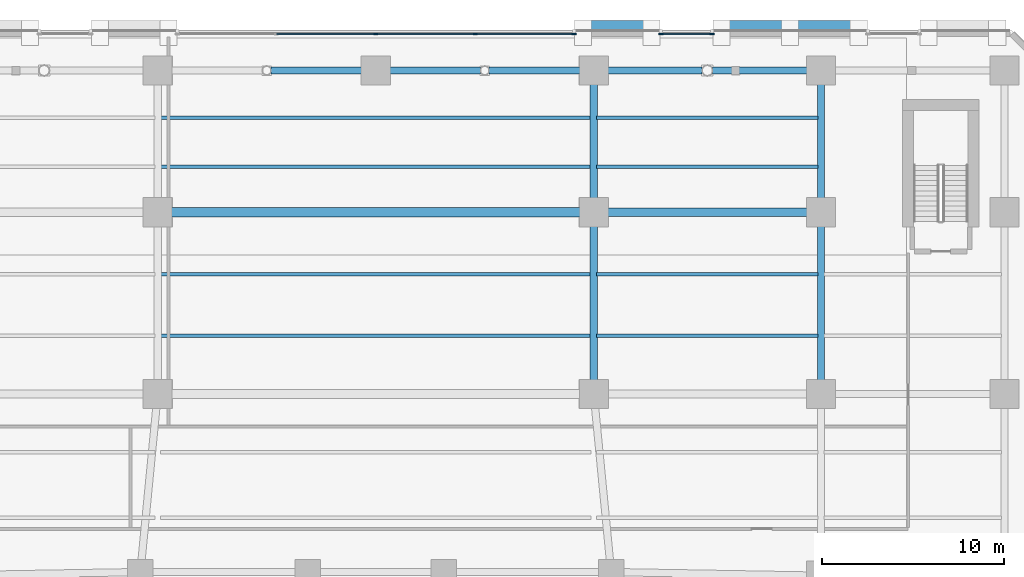
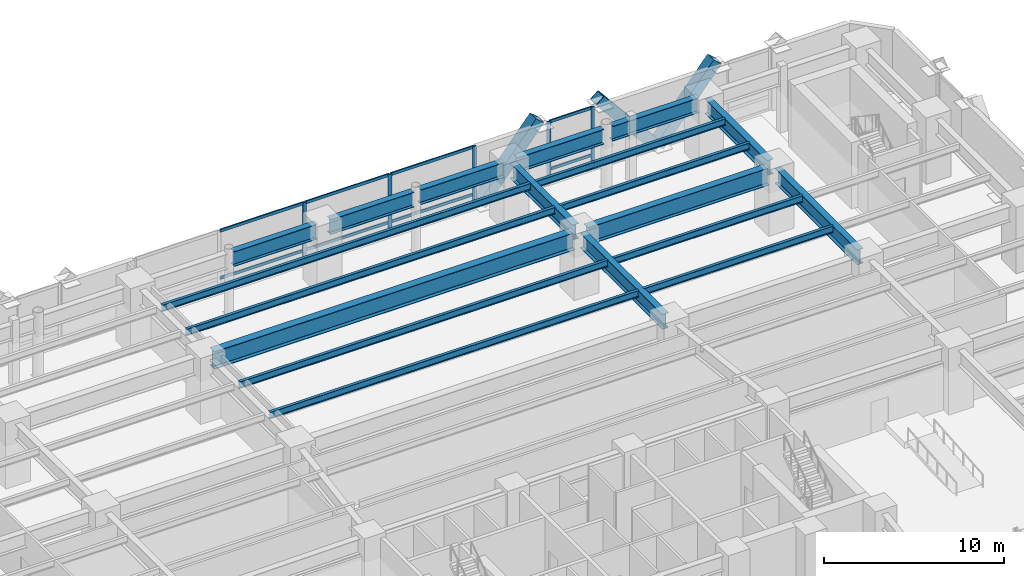
# One storey, part 9 of 26: 20 members, 19 beams, 2 elements without a shape of their own.
"""IFC4 building model written with IfcOpenShell, lengths in metres."""

from ifc_helpers import new_model, si_unit, direction, frame, origin, origin_2d, place, context, subcontext, project, spatial, rectangle, hollow_rectangle, i_section, extrude, material, material_profile, profile_set, type_object, element, aggregate, save


model = new_model("IFC4")

# Units and contexts
model_context = context("Model", 3, precision=1e-05, world=origin(), true_north=direction((0.0, 1.0)))
body_context = subcontext(model_context, "Body", "Model", "MODEL_VIEW")
ifc_project = project(units=[si_unit("LENGTHUNIT", "METRE"), si_unit("AREAUNIT", "SQUARE_METRE"), si_unit("VOLUMEUNIT", "CUBIC_METRE"), si_unit("PLANEANGLEUNIT", "RADIAN"), si_unit("MASSUNIT", "GRAM", prefix="KILO")], contexts=[model_context])

# Site, building, storey
site_placement = place(None, origin())
site = spatial("IfcSite", under=ifc_project, at=site_placement, CompositionType="ELEMENT")
building_placement = place(site_placement, origin())
building = spatial("IfcBuilding", under=site, at=building_placement, Name="Quenlor Broadcast Tower", CompositionType="ELEMENT")
storey_placement = place(building_placement, frame((0.0, 0.0, 5.0)))
storey = spatial("IfcBuildingStorey", under=building, at=storey_placement, Name="L01", CompositionType="ELEMENT", Elevation=5.0)

# Curtain wall, members
ifc_material_1 = material(Name="Architectural Terracotta and Low-E Glazing", Category="masonry")
curtain_wall_type = type_object("IfcCurtainWallType", Name="Station Concourse and Crown Terracotta Curtain Wall", PredefinedType="NOTDEFINED", material=ifc_material_1)
curtain_wall_1_placement = place(storey_placement, origin())
curtain_wall_1 = element("IfcCurtainWall", 1, at=curtain_wall_1_placement, inside=storey, type_object=curtain_wall_type, Name="L01 Curtain Wall CW6 (L01-N-FULL-G3)", PredefinedType="NOTDEFINED")
ifc_material_2 = material(Name="Aluminium 6063-T6", Category="aluminium")
ifc_material_profile_1 = material_profile(ifc_material_2, rectangle(XDim=0.08203125, YDim=0.239990234375, at=origin_2d()))
ifc_profile_set_1 = profile_set([ifc_material_profile_1], Name="Aluminium 6063-T6 MULL82x240")
member_type_1 = type_object("IfcMemberType", Name="CW6 Aluminium Mullion MULL_CW6", PredefinedType="MULLION", material=ifc_profile_set_1)
member_1_placement = place(storey_placement, frame((0.0, 24.820068359375, 0.0), z_axis=(0.0, 0.0, 1.0), x_axis=(0.0, 1.0, 0.0)))
member_1 = element("IfcMember", 2, at=member_1_placement, type_object=member_type_1, Name="CW6 mullion 3", PredefinedType="MULLION", context=body_context, shape_type="SweptSolid", body=[
    extrude(rectangle(XDim=0.08203125, YDim=0.239990234375, at=origin_2d()), origin(), (0.0, 0.0, 1.0), 4.199951171875),
])
member_2_placement = place(storey_placement, frame((5.475341796875, 24.820068359375, 0.0), z_axis=(0.0, 0.0, 1.0), x_axis=(0.0, 1.0, 0.0)))
member_2 = element("IfcMember", 3, at=member_2_placement, type_object=member_type_1, Name="CW6 mullion 4", PredefinedType="MULLION", context=body_context, shape_type="SweptSolid", body=[
    extrude(rectangle(XDim=0.08203125, YDim=0.239990234375, at=origin_2d()), origin(), (0.0, 0.0, 1.0), 4.199951171875),
])
member_3_placement = place(storey_placement, frame((10.909423828125, 24.820068359375, 0.0), z_axis=(0.0, 0.0, 1.0), x_axis=(0.0, 1.0, 0.0)))
member_3 = element("IfcMember", 4, at=member_3_placement, type_object=member_type_1, Name="CW6 mullion 5", PredefinedType="MULLION", context=body_context, shape_type="SweptSolid", body=[
    extrude(rectangle(XDim=0.08203125, YDim=0.239990234375, at=origin_2d()), origin(), (0.0, 0.0, 1.0), 4.199951171875),
])

curtain_wall_2_placement = place(storey_placement, origin())
curtain_wall_2 = element("IfcCurtainWall", 5, at=curtain_wall_2_placement, inside=storey, type_object=curtain_wall_type, Name="L01 Curtain Wall CW6 (L01-N-FULL-G4)", PredefinedType="NOTDEFINED")
member_4_placement = place(storey_placement, frame((15.6904296875, 24.820068359375, 0.0), z_axis=(0.0, 0.0, 1.0), x_axis=(0.0, 1.0, 0.0)))
member_4 = element("IfcMember", 6, at=member_4_placement, type_object=member_type_1, Name="CW6 mullion 1", PredefinedType="MULLION", context=body_context, shape_type="SweptSolid", body=[
    extrude(rectangle(XDim=0.08203125, YDim=0.239990234375, at=origin_2d()), origin(), (0.0, 0.0, 1.0), 4.199951171875),
])
member_5_placement = place(storey_placement, frame((18.509521484375, 24.820068359375, 0.0), z_axis=(0.0, 0.0, 1.0), x_axis=(0.0, 1.0, 0.0)))
member_5 = element("IfcMember", 7, at=member_5_placement, type_object=member_type_1, Name="CW6 mullion 2", PredefinedType="MULLION", context=body_context, shape_type="SweptSolid", body=[
    extrude(rectangle(XDim=0.08203125, YDim=0.239990234375, at=origin_2d()), origin(), (0.0, 0.0, 1.0), 4.199951171875),
])

# Member
ifc_material_3 = material(Name="Aluminium 6063-T6", Category="aluminium")
ifc_material_profile_2 = material_profile(ifc_material_3, rectangle(XDim=0.08203125, YDim=0.195068359375, at=origin_2d()))
ifc_profile_set_2 = profile_set([ifc_material_profile_2], Name="Aluminium 6063-T6 TRAN82x195")
member_type_2 = type_object("IfcMemberType", Name="CW6 Aluminium Transom TRAN_CW6", PredefinedType="USERDEFINED", material=ifc_profile_set_2)
member_6_placement = place(storey_placement, frame((-5.434326171875, 24.820068359375, 0.041015625), z_axis=(1.0, 0.0, 0.0), x_axis=(0.0, 1.0, 0.0)))
member_6 = element("IfcMember", 8, at=member_6_placement, type_object=member_type_2, Name="CW6 transom 2.1", ObjectType="TRANSOM", PredefinedType="USERDEFINED", context=body_context, shape_type="SweptSolid", body=[
    extrude(rectangle(XDim=0.08203125, YDim=0.195068359375, at=origin_2d()), origin(), (0.0, 0.0, 1.0), 5.393310546875),
])

member_7_placement = place(storey_placement, frame((-5.434326171875, 24.820068359375, 0.949951171875), z_axis=(1.0, 0.0, 0.0), x_axis=(0.0, 1.0, 0.0)))
member_7 = element("IfcMember", 9, at=member_7_placement, type_object=member_type_2, Name="CW6 transom 2.2", ObjectType="TRANSOM", PredefinedType="USERDEFINED", context=body_context, shape_type="SweptSolid", body=[
    extrude(rectangle(XDim=0.08203125, YDim=0.195068359375, at=origin_2d()), origin(), (0.0, 0.0, 1.0), 5.393310546875),
])

member_8_placement = place(storey_placement, frame((-5.434326171875, 24.820068359375, 4.158935546875), z_axis=(1.0, 0.0, 0.0), x_axis=(0.0, 1.0, 0.0)))
member_8 = element("IfcMember", 10, at=member_8_placement, type_object=member_type_2, Name="CW6 transom 2.3", ObjectType="TRANSOM", PredefinedType="USERDEFINED", context=body_context, shape_type="SweptSolid", body=[
    extrude(rectangle(XDim=0.08203125, YDim=0.195068359375, at=origin_2d()), origin(), (0.0, 0.0, 1.0), 5.393310546875),
])

member_9_placement = place(storey_placement, frame((0.041015625, 24.820068359375, 0.041015625), z_axis=(1.0, 0.0, 0.0), x_axis=(0.0, 1.0, 0.0)))
member_9 = element("IfcMember", 11, at=member_9_placement, type_object=member_type_2, Name="CW6 transom 3.1", ObjectType="TRANSOM", PredefinedType="USERDEFINED", context=body_context, shape_type="SweptSolid", body=[
    extrude(rectangle(XDim=0.08203125, YDim=0.195068359375, at=origin_2d()), origin(), (0.0, 0.0, 1.0), 5.393310546875),
])

member_10_placement = place(storey_placement, frame((0.041015625, 24.820068359375, 0.949951171875), z_axis=(1.0, 0.0, 0.0), x_axis=(0.0, 1.0, 0.0)))
member_10 = element("IfcMember", 12, at=member_10_placement, type_object=member_type_2, Name="CW6 transom 3.2", ObjectType="TRANSOM", PredefinedType="USERDEFINED", context=body_context, shape_type="SweptSolid", body=[
    extrude(rectangle(XDim=0.08203125, YDim=0.195068359375, at=origin_2d()), origin(), (0.0, 0.0, 1.0), 5.393310546875),
])

member_11_placement = place(storey_placement, frame((0.041015625, 24.820068359375, 4.158935546875), z_axis=(1.0, 0.0, 0.0), x_axis=(0.0, 1.0, 0.0)))
member_11 = element("IfcMember", 13, at=member_11_placement, type_object=member_type_2, Name="CW6 transom 3.3", ObjectType="TRANSOM", PredefinedType="USERDEFINED", context=body_context, shape_type="SweptSolid", body=[
    extrude(rectangle(XDim=0.08203125, YDim=0.195068359375, at=origin_2d()), origin(), (0.0, 0.0, 1.0), 5.393310546875),
])

member_12_placement = place(storey_placement, frame((5.516357421875, 24.820068359375, 0.041015625), z_axis=(1.0, 0.0, 0.0), x_axis=(0.0, 1.0, 0.0)))
member_12 = element("IfcMember", 14, at=member_12_placement, type_object=member_type_2, Name="CW6 transom 4.1", ObjectType="TRANSOM", PredefinedType="USERDEFINED", context=body_context, shape_type="SweptSolid", body=[
    extrude(rectangle(XDim=0.08203125, YDim=0.195068359375, at=origin_2d()), origin(), (0.0, 0.0, 1.0), 5.35205078125),
])

member_13_placement = place(storey_placement, frame((5.516357421875, 24.820068359375, 0.949951171875), z_axis=(1.0, 0.0, 0.0), x_axis=(0.0, 1.0, 0.0)))
member_13 = element("IfcMember", 15, at=member_13_placement, type_object=member_type_2, Name="CW6 transom 4.2", ObjectType="TRANSOM", PredefinedType="USERDEFINED", context=body_context, shape_type="SweptSolid", body=[
    extrude(rectangle(XDim=0.08203125, YDim=0.195068359375, at=origin_2d()), origin(), (0.0, 0.0, 1.0), 5.35205078125),
])

member_14_placement = place(storey_placement, frame((5.516357421875, 24.820068359375, 4.158935546875), z_axis=(1.0, 0.0, 0.0), x_axis=(0.0, 1.0, 0.0)))
member_14 = element("IfcMember", 16, at=member_14_placement, type_object=member_type_2, Name="CW6 transom 4.3", ObjectType="TRANSOM", PredefinedType="USERDEFINED", context=body_context, shape_type="SweptSolid", body=[
    extrude(rectangle(XDim=0.08203125, YDim=0.195068359375, at=origin_2d()), origin(), (0.0, 0.0, 1.0), 5.35205078125),
])

aggregate(curtain_wall_1, [member_1, member_2, member_3, member_6, member_7, member_8, member_9, member_10, member_11, member_12, member_13, member_14])

member_15_placement = place(storey_placement, frame((15.7314453125, 24.820068359375, 0.041015625), z_axis=(1.0, 0.0, 0.0), x_axis=(0.0, 1.0, 0.0)))
member_15 = element("IfcMember", 17, at=member_15_placement, type_object=member_type_2, Name="CW6 transom 1.1", ObjectType="TRANSOM", PredefinedType="USERDEFINED", context=body_context, shape_type="SweptSolid", body=[
    extrude(rectangle(XDim=0.08203125, YDim=0.195068359375, at=origin_2d()), origin(), (0.0, 0.0, 1.0), 2.737060546875),
])

member_16_placement = place(storey_placement, frame((15.7314453125, 24.820068359375, 0.949951171875), z_axis=(1.0, 0.0, 0.0), x_axis=(0.0, 1.0, 0.0)))
member_16 = element("IfcMember", 18, at=member_16_placement, type_object=member_type_2, Name="CW6 transom 1.2", ObjectType="TRANSOM", PredefinedType="USERDEFINED", context=body_context, shape_type="SweptSolid", body=[
    extrude(rectangle(XDim=0.08203125, YDim=0.195068359375, at=origin_2d()), origin(), (0.0, 0.0, 1.0), 2.737060546875),
])

member_17_placement = place(storey_placement, frame((15.7314453125, 24.820068359375, 4.158935546875), z_axis=(1.0, 0.0, 0.0), x_axis=(0.0, 1.0, 0.0)))
member_17 = element("IfcMember", 19, at=member_17_placement, type_object=member_type_2, Name="CW6 transom 1.3", ObjectType="TRANSOM", PredefinedType="USERDEFINED", context=body_context, shape_type="SweptSolid", body=[
    extrude(rectangle(XDim=0.08203125, YDim=0.195068359375, at=origin_2d()), origin(), (0.0, 0.0, 1.0), 2.737060546875),
])

aggregate(curtain_wall_2, [member_4, member_5, member_15, member_16, member_17])

# Members
ifc_material_4 = material(Name="Steel S355", Category="steel")
ifc_material_profile_3 = material_profile(ifc_material_4, hollow_rectangle(XDim=0.679931640625, YDim=0.679931640625, WallThickness=0.034912109375, at=origin_2d()))
ifc_profile_set_3 = profile_set([ifc_material_profile_3], Name="Steel S355 RHS680x680x35")
member_type_3 = type_object("IfcMemberType", Name="Perimeter Diagonal Lattice Brace Z1 Steel S355 RHS680x35", PredefinedType="BRACE", material=ifc_profile_set_3)
for number, where, z_axis, x_axis, name in (
    (20, (11.4228515625, 25.215087890625, -0.1201171875), (0.640626831312, 0.0, 0.767852370578), (0.0, 1.0, 0.0), "L01 Podium Diamond Lattice N-P5S"),
    (21, (22.777099609375, 25.215087890625, -0.1201171875), (-0.640626831312, 0.0, 0.767852370578), (0.0, -1.0, 0.0), "L01 Podium Diamond Lattice N-P5B"),
    (22, (22.82275390625, 25.215087890625, -0.1201171875), (0.640626831312, 0.0, 0.767852370578), (0.0, 1.0, 0.0), "L01 Podium Diamond Lattice N-P6S"),
):
    element("IfcMember", number, at=place(storey_placement, frame(where, z_axis=z_axis, x_axis=x_axis)), inside=storey, type_object=member_type_3, Name=name, PredefinedType="BRACE", context=body_context, shape_type="SweptSolid", body=[
        extrude(hollow_rectangle(XDim=0.679931640625, YDim=0.679931640625, WallThickness=0.034912109375, at=origin_2d()), origin(), (0.0, 0.0, 1.0), 5.860595703125),
    ])

# Beams
ifc_material_5 = material(Name="Steel S355", Category="steel")
ifc_material_profile_4 = material_profile(ifc_material_5, i_section(OverallWidth=0.39990234375, OverallDepth=1.02392578125, WebThickness=0.01611328125, FlangeThickness=0.031982421875, FilletRadius=0.01611328125, at=origin_2d()))
ifc_profile_set_4 = profile_set([ifc_material_profile_4], Name="Steel S355 1000WB322")
beam_type_1 = type_object("IfcBeamType", Name="Podium Concourse Girder Steel S355 1000WB322", PredefinedType="BEAM", material=ifc_profile_set_4)
for number, where, z_axis, x_axis, name in (
    (23, (-5.76611328125, 22.800048828125, 3.68798828125), (1.0, 0.0, 0.0), (0.0, 1.0, 0.0), "L01 Podium Girder 28"),
    (24, (0.419921875, 22.800048828125, 3.68798828125), (1.0, 0.0, 0.0), (0.0, 1.0, 0.0), "L01 Podium Girder 29"),
    (25, (6.23388671875, 22.800048828125, 3.68798828125), (1.0, 0.0, 0.0), (0.0, 1.0, 0.0), "L01 Podium Girder 30"),
):
    element("IfcBeam", number, at=place(storey_placement, frame(where, z_axis=z_axis, x_axis=x_axis)), inside=storey, type_object=beam_type_1, Name=name, PredefinedType="BEAM", context=body_context, shape_type="SweptSolid", body=[
        extrude(i_section(OverallWidth=0.39990234375, OverallDepth=1.02392578125, WebThickness=0.01611328125, FlangeThickness=0.031982421875, FilletRadius=0.01611328125, at=origin_2d()), origin(), (0.0, 0.0, 1.0), 5.34619140625),
    ])
for number, where, z_axis, x_axis, name in (
    (26, (12.419921875, 22.800048828125, 3.68798828125), (1.0, 0.0, 0.0), (0.0, 1.0, 0.0), "L01 Podium Girder 31"),
    (27, (18.534912109375, 22.800048828125, 3.68798828125), (1.0, 0.0, 0.0), (0.0, 1.0, 0.0), "L01 Podium Girder 32"),
):
    element("IfcBeam", number, at=place(storey_placement, frame(where, z_axis=z_axis, x_axis=x_axis)), inside=storey, type_object=beam_type_1, Name=name, PredefinedType="BEAM", context=body_context, shape_type="SweptSolid", body=[
        extrude(i_section(OverallWidth=0.39990234375, OverallDepth=1.02392578125, WebThickness=0.01611328125, FlangeThickness=0.031982421875, FilletRadius=0.01611328125, at=origin_2d()), origin(), (0.0, 0.0, 1.0), 5.545166015625),
    ])
beam_1_placement = place(storey_placement, frame((24.5, 5.419921875, 3.68798828125), z_axis=(0.0, 1.0, 0.0), x_axis=(-1.0, 0.0, 0.0)))
element("IfcBeam", 28, at=beam_1_placement, inside=storey, type_object=beam_type_1, Name="L01 Podium Girder 47", PredefinedType="BEAM", context=body_context, shape_type="SweptSolid", body=[
    extrude(i_section(OverallWidth=0.39990234375, OverallDepth=1.02392578125, WebThickness=0.01611328125, FlangeThickness=0.031982421875, FilletRadius=0.01611328125, at=origin_2d()), origin(), (0.0, 0.0, 1.0), 9.16015625),
])
beam_2_placement = place(storey_placement, frame((24.5, 15.419921875, 3.68798828125), z_axis=(0.0, 1.0, 0.0), x_axis=(-1.0, 0.0, 0.0)))
element("IfcBeam", 29, at=beam_2_placement, inside=storey, type_object=beam_type_1, Name="L01 Podium Girder 48", PredefinedType="BEAM", context=body_context, shape_type="SweptSolid", body=[
    extrude(i_section(OverallWidth=0.39990234375, OverallDepth=1.02392578125, WebThickness=0.01611328125, FlangeThickness=0.031982421875, FilletRadius=0.01611328125, at=origin_2d()), origin(), (0.0, 0.0, 1.0), 6.9599609375),
])
beam_3_placement = place(storey_placement, frame((12.0, 5.419921875, 3.68798828125), z_axis=(0.0, 1.0, 0.0), x_axis=(-1.0, 0.0, 0.0)))
element("IfcBeam", 30, at=beam_3_placement, inside=storey, type_object=beam_type_1, Name="L01 Podium Girder 56", PredefinedType="BEAM", context=body_context, shape_type="SweptSolid", body=[
    extrude(i_section(OverallWidth=0.39990234375, OverallDepth=1.02392578125, WebThickness=0.01611328125, FlangeThickness=0.031982421875, FilletRadius=0.01611328125, at=origin_2d()), origin(), (0.0, 0.0, 1.0), 9.16015625),
])
beam_4_placement = place(storey_placement, frame((12.0, 15.419921875, 3.68798828125), z_axis=(0.0, 1.0, 0.0), x_axis=(-1.0, 0.0, 0.0)))
element("IfcBeam", 31, at=beam_4_placement, inside=storey, type_object=beam_type_1, Name="L01 Podium Girder 57", PredefinedType="BEAM", context=body_context, shape_type="SweptSolid", body=[
    extrude(i_section(OverallWidth=0.39990234375, OverallDepth=1.02392578125, WebThickness=0.01611328125, FlangeThickness=0.031982421875, FilletRadius=0.01611328125, at=origin_2d()), origin(), (0.0, 0.0, 1.0), 6.9599609375),
])
ifc_material_6 = material(Name="Steel S355", Category="steel")
ifc_material_profile_5 = material_profile(ifc_material_6, i_section(OverallWidth=0.18994140625, OverallDepth=0.453857421875, WebThickness=0.008544921875, FlangeThickness=0.0126953125, FilletRadius=0.011474609375, at=origin_2d()))
ifc_profile_set_5 = profile_set([ifc_material_profile_5], Name="Steel S355 460UB67.1")
beam_type_2 = type_object("IfcBeamType", Name="Podium Floor Joist Steel S355 460UB67.1", PredefinedType="JOIST", material=ifc_profile_set_5)
beam_5_placement = place(storey_placement, frame((-11.840087890625, 8.199951171875, 3.97314453125), z_axis=(1.0, 0.0, 0.0), x_axis=(0.0, 1.0, 0.0)))
element("IfcBeam", 32, at=beam_5_placement, inside=storey, type_object=beam_type_2, Name="L01 Podium Floor Joist 3", PredefinedType="JOIST", context=body_context, shape_type="SweptSolid", body=[
    extrude(i_section(OverallWidth=0.18994140625, OverallDepth=0.453857421875, WebThickness=0.008544921875, FlangeThickness=0.0126953125, FilletRadius=0.011474609375, at=origin_2d()), origin(), (0.0, 0.0, 1.0), 23.68017578125),
])
beam_6_placement = place(storey_placement, frame((12.159912109375, 8.199951171875, 3.97314453125), z_axis=(1.0, 0.0, 0.0), x_axis=(0.0, 1.0, 0.0)))
element("IfcBeam", 33, at=beam_6_placement, inside=storey, type_object=beam_type_2, Name="L01 Podium Floor Joist 4", PredefinedType="JOIST", context=body_context, shape_type="SweptSolid", body=[
    extrude(i_section(OverallWidth=0.18994140625, OverallDepth=0.453857421875, WebThickness=0.008544921875, FlangeThickness=0.0126953125, FilletRadius=0.011474609375, at=origin_2d()), origin(), (0.0, 0.0, 1.0), 12.18017578125),
])
beam_7_placement = place(storey_placement, frame((-11.840087890625, 11.60009765625, 3.97314453125), z_axis=(1.0, 0.0, 0.0), x_axis=(0.0, 1.0, 0.0)))
element("IfcBeam", 34, at=beam_7_placement, inside=storey, type_object=beam_type_2, Name="L01 Podium Floor Joist 8", PredefinedType="JOIST", context=body_context, shape_type="SweptSolid", body=[
    extrude(i_section(OverallWidth=0.18994140625, OverallDepth=0.453857421875, WebThickness=0.008544921875, FlangeThickness=0.0126953125, FilletRadius=0.011474609375, at=origin_2d()), origin(), (0.0, 0.0, 1.0), 23.68017578125),
])
beam_8_placement = place(storey_placement, frame((12.159912109375, 11.60009765625, 3.97314453125), z_axis=(1.0, 0.0, 0.0), x_axis=(0.0, 1.0, 0.0)))
element("IfcBeam", 35, at=beam_8_placement, inside=storey, type_object=beam_type_2, Name="L01 Podium Floor Joist 9", PredefinedType="JOIST", context=body_context, shape_type="SweptSolid", body=[
    extrude(i_section(OverallWidth=0.18994140625, OverallDepth=0.453857421875, WebThickness=0.008544921875, FlangeThickness=0.0126953125, FilletRadius=0.011474609375, at=origin_2d()), origin(), (0.0, 0.0, 1.0), 12.18017578125),
])
beam_9_placement = place(storey_placement, frame((-11.840087890625, 17.5, 3.97314453125), z_axis=(1.0, 0.0, 0.0), x_axis=(0.0, 1.0, 0.0)))
element("IfcBeam", 36, at=beam_9_placement, inside=storey, type_object=beam_type_2, Name="L01 Podium Floor Joist 13", PredefinedType="JOIST", context=body_context, shape_type="SweptSolid", body=[
    extrude(i_section(OverallWidth=0.18994140625, OverallDepth=0.453857421875, WebThickness=0.008544921875, FlangeThickness=0.0126953125, FilletRadius=0.011474609375, at=origin_2d()), origin(), (0.0, 0.0, 1.0), 23.68017578125),
])
beam_10_placement = place(storey_placement, frame((12.159912109375, 17.5, 3.97314453125), z_axis=(1.0, 0.0, 0.0), x_axis=(0.0, 1.0, 0.0)))
element("IfcBeam", 37, at=beam_10_placement, inside=storey, type_object=beam_type_2, Name="L01 Podium Floor Joist 14", PredefinedType="JOIST", context=body_context, shape_type="SweptSolid", body=[
    extrude(i_section(OverallWidth=0.18994140625, OverallDepth=0.453857421875, WebThickness=0.008544921875, FlangeThickness=0.0126953125, FilletRadius=0.011474609375, at=origin_2d()), origin(), (0.0, 0.0, 1.0), 12.18017578125),
])
beam_11_placement = place(storey_placement, frame((-11.840087890625, 20.199951171875, 3.97314453125), z_axis=(1.0, 0.0, 0.0), x_axis=(0.0, 1.0, 0.0)))
element("IfcBeam", 38, at=beam_11_placement, inside=storey, type_object=beam_type_2, Name="L01 Podium Floor Joist 18", PredefinedType="JOIST", context=body_context, shape_type="SweptSolid", body=[
    extrude(i_section(OverallWidth=0.18994140625, OverallDepth=0.453857421875, WebThickness=0.008544921875, FlangeThickness=0.0126953125, FilletRadius=0.011474609375, at=origin_2d()), origin(), (0.0, 0.0, 1.0), 23.68017578125),
])
beam_12_placement = place(storey_placement, frame((12.159912109375, 20.199951171875, 3.97314453125), z_axis=(1.0, 0.0, 0.0), x_axis=(0.0, 1.0, 0.0)))
element("IfcBeam", 39, at=beam_12_placement, inside=storey, type_object=beam_type_2, Name="L01 Podium Floor Joist 19", PredefinedType="JOIST", context=body_context, shape_type="SweptSolid", body=[
    extrude(i_section(OverallWidth=0.18994140625, OverallDepth=0.453857421875, WebThickness=0.008544921875, FlangeThickness=0.0126953125, FilletRadius=0.011474609375, at=origin_2d()), origin(), (0.0, 0.0, 1.0), 12.18017578125),
])
ifc_material_7 = material(Name="Steel S355", Category="steel")
ifc_material_profile_6 = material_profile(ifc_material_7, i_section(OverallWidth=0.5, OverallDepth=1.199951171875, WebThickness=0.02001953125, FlangeThickness=0.035888671875, FilletRadius=0.01611328125, at=origin_2d()))
ifc_profile_set_6 = profile_set([ifc_material_profile_6], Name="Steel S355 1200WB455")
beam_type_3 = type_object("IfcBeamType", Name="Podium Long Span Studio Girder Steel S355 1200WB455", PredefinedType="BEAM", material=ifc_profile_set_6)
beam_13_placement = place(storey_placement, frame((-11.580078125, 15.0, 3.60009765625), z_axis=(1.0, 0.0, 0.0), x_axis=(0.0, 1.0, 0.0)))
element("IfcBeam", 40, at=beam_13_placement, inside=storey, type_object=beam_type_3, Name="L01 Podium Girder 21", PredefinedType="BEAM", context=body_context, shape_type="SweptSolid", body=[
    extrude(i_section(OverallWidth=0.5, OverallDepth=1.199951171875, WebThickness=0.02001953125, FlangeThickness=0.035888671875, FilletRadius=0.01611328125, at=origin_2d()), origin(), (0.0, 0.0, 1.0), 23.16015625),
])
ifc_material_8 = material(Name="Steel S355", Category="steel")
ifc_material_profile_7 = material_profile(ifc_material_8, i_section(OverallWidth=0.449951171875, OverallDepth=1.18798828125, WebThickness=0.01806640625, FlangeThickness=0.031982421875, FilletRadius=0.01611328125, at=origin_2d()))
ifc_profile_set_7 = profile_set([ifc_material_profile_7], Name="Steel S355 1200WB392")
beam_type_4 = type_object("IfcBeamType", Name="Podium Secondary Studio Girder Steel S355 1200WB392", PredefinedType="BEAM", material=ifc_profile_set_7)
beam_14_placement = place(storey_placement, frame((12.419921875, 15.0, 3.60595703125), z_axis=(1.0, 0.0, 0.0), x_axis=(0.0, 1.0, 0.0)))
element("IfcBeam", 41, at=beam_14_placement, inside=storey, type_object=beam_type_4, Name="L01 Podium Girder 22", PredefinedType="BEAM", context=body_context, shape_type="SweptSolid", body=[
    extrude(i_section(OverallWidth=0.449951171875, OverallDepth=1.18798828125, WebThickness=0.01806640625, FlangeThickness=0.031982421875, FilletRadius=0.01611328125, at=origin_2d()), origin(), (0.0, 0.0, 1.0), 11.66015625),
])

save(model, "model.ifc")
